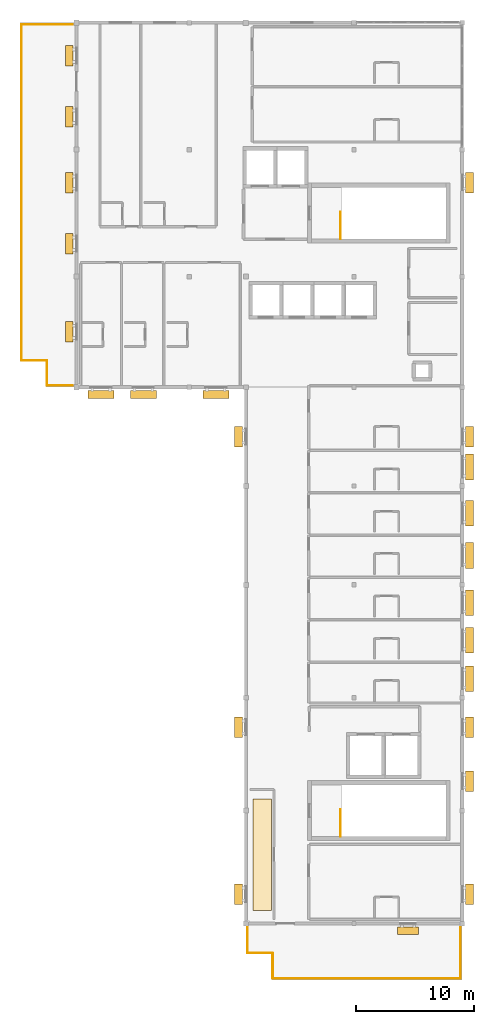
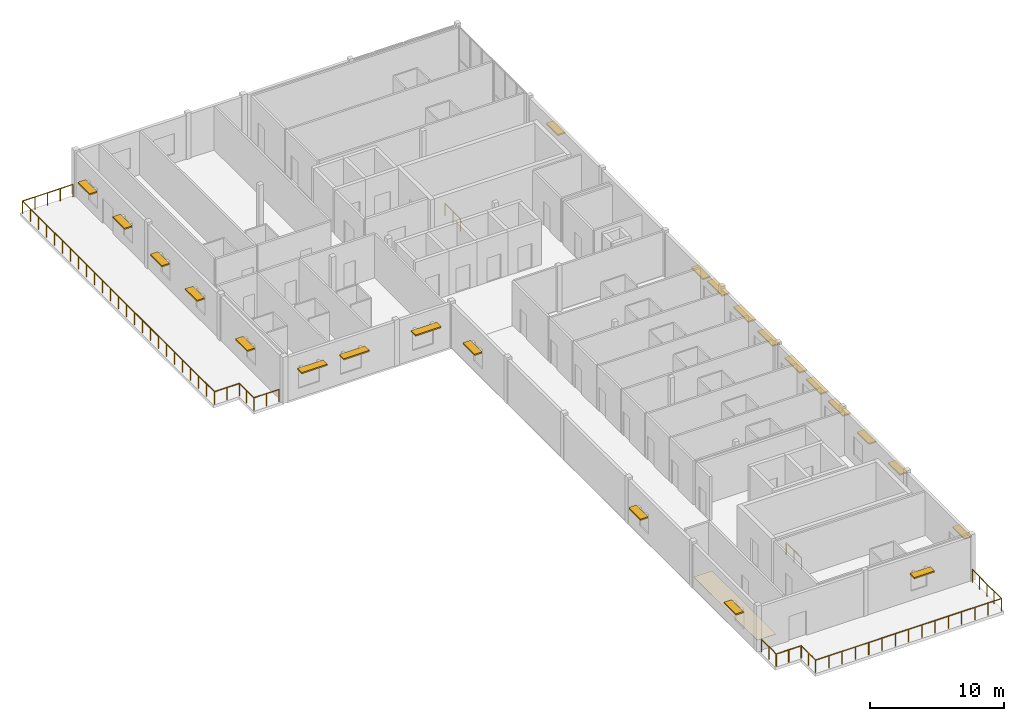
# One storey, part 9 of 9: 23 shading devices, 4 railings, 1 covering.
"""IFC4 building model written with IfcOpenShell, lengths in metres."""

import ifcopenshell
import ifcopenshell.guid

model = None  # the IFC model being written
_history = None  # IfcOwnerHistory: only IFC2X3 demands one
_inside = {}  # id of a spatial element -> (the spatial element, [elements in it])
_under = {}  # id of a project, library or spatial element -> (it, [spatial elements below it])
_declared = {}  # id of a project -> (the project, [libraries it declares])
_typed = {}  # id of a type object -> (the type object, [elements of that type])
_made_of = {}  # id of a material, layer set ... -> (it, [elements and type objects made of it])


def new_model(schema):
    """Start an empty IFC model of exactly this schema.

    Asked for "IFC4X3", IfcOpenShell would pick the latest addendum, in which some entities
    have other attributes; the version numbers below select the first issue.
    IFC2X3 requires an IfcOwnerHistory on every rooted entity: one is made here for all.
    """
    global model, _history
    if schema == "IFC4X3":
        model = ifcopenshell.file(schema_version=(4, 3, 0, 0))
    else:
        model = ifcopenshell.file(schema=schema)
    _inside.clear()
    _under.clear()
    _declared.clear()
    _typed.clear()
    _made_of.clear()
    _history = None
    if model.schema == "IFC2X3":
        org = make("IfcOrganization", Name="unknown")
        user = make(
            "IfcPersonAndOrganization",
            ThePerson=make("IfcPerson", FamilyName="unknown"),
            TheOrganization=org,
        )
        app = make(
            "IfcApplication",
            ApplicationDeveloper=org,
            Version="unknown",
            ApplicationFullName="unknown",
            ApplicationIdentifier="unknown",
        )
        _history = make(
            "IfcOwnerHistory",
            OwningUser=user,
            OwningApplication=app,
            ChangeAction="ADDED",
            CreationDate=0,
        )
    return model


def make(cls, **values):
    """One entity of the class cls with the attributes given. An attribute that is None is left unset."""
    return model.create_entity(
        cls, **{name: value for name, value in values.items() if value is not None}
    )


def rooted(cls, **values):
    """An entity with a GlobalId (a new one), such as an element, a storey or a relation."""
    return make(cls, GlobalId=ifcopenshell.guid.new(), OwnerHistory=_history, **values)


def si_unit(unit_type, name, prefix=None):
    """IfcSIUnit, for example si_unit("LENGTHUNIT", "METRE", prefix="MILLI")."""
    return make("IfcSIUnit", UnitType=unit_type, Prefix=prefix, Name=name)


def assignment(units):
    """IfcUnitAssignment: the units of a project."""
    return None if units is None else make("IfcUnitAssignment", Units=units)


def point(xyz):
    """IfcCartesianPoint."""
    return None if xyz is None else make("IfcCartesianPoint", Coordinates=xyz)


def direction(xyz):
    """IfcDirection."""
    return None if xyz is None else make("IfcDirection", DirectionRatios=xyz)


def frame(location, z_axis=None, x_axis=None):
    """IfcAxis2Placement3D, a coordinate frame: its origin and axes. An axis left out is left unset."""
    return make(
        "IfcAxis2Placement3D",
        Location=point(location),
        Axis=direction(z_axis),
        RefDirection=direction(x_axis),
    )


def frame_2d(location, x_axis=None):
    """IfcAxis2Placement2D, a coordinate frame in the plane: its origin and x axis."""
    return make(
        "IfcAxis2Placement2D", Location=point(location), RefDirection=direction(x_axis)
    )


def origin():
    """The frame at (0, 0, 0) with its axes left unset."""
    return frame((0.0, 0.0, 0.0))


def origin_2d():
    """The frame at (0, 0) in the plane with its x axis left unset."""
    return frame_2d((0.0, 0.0))


def place(relative_to, where):
    """IfcLocalPlacement: puts the frame where relative to a parent placement (None: the world)."""
    return make(
        "IfcLocalPlacement", PlacementRelTo=relative_to, RelativePlacement=where
    )


def context(
    kind, dimensions, precision=None, world=None, true_north=None, identifier=None
):
    """IfcGeometricRepresentationContext, for example the 3D "Model" context."""
    return make(
        "IfcGeometricRepresentationContext",
        ContextIdentifier=identifier,
        ContextType=kind,
        CoordinateSpaceDimension=dimensions,
        Precision=precision,
        WorldCoordinateSystem=world,
        TrueNorth=true_north,
    )


def subcontext(parent, identifier, kind, view, scale=None):
    """IfcGeometricRepresentationSubContext, for example "Body" below "Model"."""
    return make(
        "IfcGeometricRepresentationSubContext",
        ContextIdentifier=identifier,
        ContextType=kind,
        ParentContext=parent,
        TargetScale=scale,
        TargetView=view,
    )


def project(units=None, contexts=None):
    """IfcProject with its units and contexts."""
    return rooted(
        "IfcProject",
        Name="project",
        RepresentationContexts=contexts,
        UnitsInContext=assignment(units),
    )


def spatial(cls, under=None, at=None, **own):
    """A site, building, storey or space (cls), placed at a placement, below another one or the project."""
    s = rooted(cls, ObjectPlacement=at, **own)
    if under is not None:
        _under.setdefault(under.id(), (under, []))[1].append(s)
    return s


def polyline(points):
    """IfcPolyline through the points."""
    return make("IfcPolyline", Points=[point(p) for p in points])


def profile(cls, at=None, kind="AREA", **sizes):
    """A parametric profile (cls). Its sizes go by their IFC names, for example OverallWidth=200.0."""
    return make(cls, ProfileType=kind, Position=at, **sizes)


def rectangle(**sizes):
    """IfcRectangleProfileDef."""
    return profile("IfcRectangleProfileDef", **sizes)


def circle(**sizes):
    """IfcCircleProfileDef."""
    return profile("IfcCircleProfileDef", **sizes)


def outline(outer, holes=None, kind="AREA"):
    """IfcArbitraryClosedProfileDef: a profile drawn as a closed curve; with holes, ...WithVoids."""
    if holes is None:
        return make("IfcArbitraryClosedProfileDef", ProfileType=kind, OuterCurve=outer)
    return make(
        "IfcArbitraryProfileDefWithVoids",
        ProfileType=kind,
        OuterCurve=outer,
        InnerCurves=holes,
    )


def extrude(swept, where, along, depth):
    """IfcExtrudedAreaSolid: the profile swept, set in the frame where, extruded along a direction by depth."""
    return make(
        "IfcExtrudedAreaSolid",
        SweptArea=swept,
        Position=where,
        ExtrudedDirection=direction(along),
        Depth=depth,
    )


def shape(context_of_items, identifier, shape_type, items):
    """IfcShapeRepresentation: the items that make up one representation, for example the "Body"."""
    return make(
        "IfcShapeRepresentation",
        ContextOfItems=context_of_items,
        RepresentationIdentifier=identifier,
        RepresentationType=shape_type,
        Items=items,
    )


def material(Name=None, Category=None):
    """IfcMaterial."""
    return make("IfcMaterial", Name=Name, Category=Category)


def layer(
    of_material, thickness, ventilated=None, Name=None, Category=None, Priority=None
):
    """IfcMaterialLayer: one layer of a wall or slab, of a material (None: an air gap)."""
    return make(
        "IfcMaterialLayer",
        Material=of_material,
        LayerThickness=thickness,
        IsVentilated=ventilated,
        Name=Name,
        Category=Category,
        Priority=Priority,
    )


def layer_set(layers, Name=None):
    """IfcMaterialLayerSet."""
    return make("IfcMaterialLayerSet", MaterialLayers=layers, LayerSetName=Name)


def made_of(thing, what):
    """Note that an element or type object is made of a material, layer set ...; save() writes the relation."""
    if what is not None:
        _made_of.setdefault(what.id(), (what, []))[1].append(thing)
    return thing


def type_object(cls, material=None, **own):
    """A type object (cls), such as IfcWallType, which elements share."""
    return made_of(rooted(cls, **own), material)


def element(
    cls,
    number,
    at=None,
    inside=None,
    cuts=None,
    type_object=None,
    material=None,
    context=None,
    identifier="Body",
    shape_type=None,
    held_by="IfcProductDefinitionShape",
    body=None,
    shapes=None,
    **own,
):
    """One element of the class cls, such as IfcWall. Its Tag is "e" and its number.

    at: its placement. inside: the storey or other place that contains it. cuts: it is an
    opening in that element (IfcRelVoidsElement). A single representation is given by context,
    identifier, shape_type and body (its items); several are given by shapes. held_by: the class
    of the entity that holds the representations. save() writes the other relations.
    """
    e = rooted(cls, Tag="e%d" % number, ObjectPlacement=at, **own)
    if body is not None:
        shapes = [shape(context, identifier, shape_type, body)]
    if shapes is not None:
        e.Representation = make(held_by, Representations=shapes)
    if inside is not None:
        _inside.setdefault(inside.id(), (inside, []))[1].append(e)
    if cuts is not None:
        rooted(
            "IfcRelVoidsElement", RelatingBuildingElement=cuts, RelatedOpeningElement=e
        )
    if type_object is not None:
        _typed.setdefault(type_object.id(), (type_object, []))[1].append(e)
    return made_of(e, material)


def aggregate(whole, parts):
    """IfcRelAggregates: a whole, such as a stair, and the parts it consists of."""
    return rooted("IfcRelAggregates", RelatingObject=whole, RelatedObjects=parts)


def save(model, path):
    """Write the relations noted so far, then the file.

    IfcRelAggregates (storeys below a building ...), IfcRelContainedInSpatialStructure (elements
    in a storey), IfcRelDefinesByType, IfcRelAssociatesMaterial and IfcRelDeclares: one each for
    every whole, place, type object, material and project.
    """
    for whole, parts in _under.values():
        aggregate(whole, parts)
    for where, things in _inside.values():
        rooted(
            "IfcRelContainedInSpatialStructure",
            RelatedElements=things,
            RelatingStructure=where,
        )
    for kind, things in _typed.values():
        rooted("IfcRelDefinesByType", RelatedObjects=things, RelatingType=kind)
    for what, things in _made_of.values():
        rooted("IfcRelAssociatesMaterial", RelatedObjects=things, RelatingMaterial=what)
    for by, libraries in _declared.values():
        rooted("IfcRelDeclares", RelatingContext=by, RelatedDefinitions=libraries)
    model.write(path)


model = new_model("IFC4")

# Units and contexts
model_context = context("Model", 3, precision=1e-05, world=origin(), true_north=direction((0.0, 1.0)))
body_context = subcontext(model_context, "Body", "Model", "MODEL_VIEW")
ifc_project = project(units=[si_unit("LENGTHUNIT", "METRE"), si_unit("AREAUNIT", "SQUARE_METRE"), si_unit("VOLUMEUNIT", "CUBIC_METRE"), si_unit("PLANEANGLEUNIT", "RADIAN"), si_unit("MASSUNIT", "GRAM", prefix="KILO")], contexts=[model_context])

# Site, building, storey
site_placement = place(None, origin())
site = spatial("IfcSite", under=ifc_project, at=site_placement, CompositionType="ELEMENT")
building_placement = place(site_placement, origin())
building = spatial("IfcBuilding", under=site, at=building_placement, Name="Veldera Park Congress Hotel", CompositionType="ELEMENT")
storey_placement = place(building_placement, frame((0.0, 0.0, 46.60009765625)))
storey = spatial("IfcBuildingStorey", under=building, at=storey_placement, Name="L11", CompositionType="ELEMENT", Elevation=46.60009765625)

# Railing
ifc_material_1 = material(Name="Low-E Triple Insulating Glass Unit (SHGC 0.22)", Category="glass")
railing_type_1 = type_object("IfcRailingType", Name="BAL-TER115", PredefinedType="BALUSTRADE", material=ifc_material_1)
railing_1_placement = place(storey_placement, frame((65.739990234375, -18.93994140625, 0.0)))
element("IfcRailing", 1, at=railing_1_placement, inside=storey, type_object=railing_type_1, Name="L11 Terrace Guard 009", PredefinedType="BALUSTRADE", context=body_context, shape_type="SweptSolid", body=[
    extrude(circle(Radius=0.02392578125, at=origin_2d()), frame((0.0, 0.0, 1.1259765625), z_axis=(0.0, -1.0, 0.0), x_axis=(1.0, 0.0, 0.0)), (0.0, 0.0, 1.0), 2.170166015625),
    extrude(circle(Radius=0.02392578125, at=origin_2d()), frame((0.0, -2.170166015625, 1.1259765625), z_axis=(1.0, 0.0, 0.0), x_axis=(0.0, 1.0, 0.0)), (0.0, 0.0, 1.0), 2.14990234375),
    extrude(circle(Radius=0.02392578125, at=origin_2d()), frame((2.14990234375, -2.170166015625, 1.1259765625), z_axis=(0.0, -1.0, 0.0), x_axis=(1.0, 0.0, 0.0)), (0.0, 0.0, 1.0), 2.14990234375),
    extrude(circle(Radius=0.02392578125, at=origin_2d()), frame((2.14990234375, -4.320068359375, 1.1259765625), z_axis=(1.0, 0.0, 0.0), x_axis=(0.0, 1.0, 0.0)), (0.0, 0.0, 1.0), 15.97021484375),
    extrude(circle(Radius=0.02392578125, at=origin_2d()), frame((18.1201171875, -4.320068359375, 1.1259765625), z_axis=(0.0, 1.0, 0.0), x_axis=(-1.0, 0.0, 0.0)), (0.0, 0.0, 1.0), 4.320068359375),
    extrude(circle(Radius=0.02099609375, at=origin_2d()), origin(), (0.0, 0.0, 1.0), 1.101806640625),
    extrude(circle(Radius=0.02099609375, at=origin_2d()), frame((0.0, -1.0849609375, 0.0)), (0.0, 0.0, 1.0), 1.101806640625),
    extrude(circle(Radius=0.02099609375, at=origin_2d()), frame((0.0, -2.170166015625, 0.0)), (0.0, 0.0, 1.0), 1.101806640625),
    extrude(circle(Radius=0.02099609375, at=origin_2d()), frame((1.074951171875, -2.170166015625, 0.0)), (0.0, 0.0, 1.0), 1.101806640625),
    extrude(circle(Radius=0.02099609375, at=origin_2d()), frame((2.14990234375, -2.170166015625, 0.0)), (0.0, 0.0, 1.0), 1.101806640625),
    extrude(circle(Radius=0.02099609375, at=origin_2d()), frame((2.14990234375, -3.2451171875, 0.0)), (0.0, 0.0, 1.0), 1.101806640625),
    extrude(circle(Radius=0.02099609375, at=origin_2d()), frame((2.14990234375, -4.320068359375, 0.0)), (0.0, 0.0, 1.0), 1.101806640625),
    extrude(circle(Radius=0.02099609375, at=origin_2d()), frame((3.29052734375, -4.320068359375, 0.0)), (0.0, 0.0, 1.0), 1.101806640625),
    extrude(circle(Radius=0.02099609375, at=origin_2d()), frame((4.431396484375, -4.320068359375, 0.0)), (0.0, 0.0, 1.0), 1.101806640625),
    extrude(circle(Radius=0.02099609375, at=origin_2d()), frame((5.572021484375, -4.320068359375, 0.0)), (0.0, 0.0, 1.0), 1.101806640625),
    extrude(circle(Radius=0.02099609375, at=origin_2d()), frame((6.712890625, -4.320068359375, 0.0)), (0.0, 0.0, 1.0), 1.101806640625),
    extrude(circle(Radius=0.02099609375, at=origin_2d()), frame((7.853515625, -4.320068359375, 0.0)), (0.0, 0.0, 1.0), 1.101806640625),
    extrude(circle(Radius=0.02099609375, at=origin_2d()), frame((8.994384765625, -4.320068359375, 0.0)), (0.0, 0.0, 1.0), 1.101806640625),
    extrude(circle(Radius=0.02099609375, at=origin_2d()), frame((10.135009765625, -4.320068359375, 0.0)), (0.0, 0.0, 1.0), 1.101806640625),
    extrude(circle(Radius=0.02099609375, at=origin_2d()), frame((11.275634765625, -4.320068359375, 0.0)), (0.0, 0.0, 1.0), 1.101806640625),
    extrude(circle(Radius=0.02099609375, at=origin_2d()), frame((12.41650390625, -4.320068359375, 0.0)), (0.0, 0.0, 1.0), 1.101806640625),
    extrude(circle(Radius=0.02099609375, at=origin_2d()), frame((13.55712890625, -4.320068359375, 0.0)), (0.0, 0.0, 1.0), 1.101806640625),
    extrude(circle(Radius=0.02099609375, at=origin_2d()), frame((14.697998046875, -4.320068359375, 0.0)), (0.0, 0.0, 1.0), 1.101806640625),
    extrude(circle(Radius=0.02099609375, at=origin_2d()), frame((15.838623046875, -4.320068359375, 0.0)), (0.0, 0.0, 1.0), 1.101806640625),
    extrude(circle(Radius=0.02099609375, at=origin_2d()), frame((16.9794921875, -4.320068359375, 0.0)), (0.0, 0.0, 1.0), 1.101806640625),
    extrude(circle(Radius=0.02099609375, at=origin_2d()), frame((18.1201171875, -4.320068359375, 0.0)), (0.0, 0.0, 1.0), 1.101806640625),
    extrude(circle(Radius=0.02099609375, at=origin_2d()), frame((18.1201171875, -3.239990234375, 0.0)), (0.0, 0.0, 1.0), 1.101806640625),
    extrude(circle(Radius=0.02099609375, at=origin_2d()), frame((18.1201171875, -2.16015625, 0.0)), (0.0, 0.0, 1.0), 1.101806640625),
    extrude(circle(Radius=0.02099609375, at=origin_2d()), frame((18.1201171875, -1.080078125, 0.0)), (0.0, 0.0, 1.0), 1.101806640625),
    extrude(circle(Radius=0.02099609375, at=origin_2d()), frame((18.1201171875, 0.0, 0.0)), (0.0, 0.0, 1.0), 1.101806640625),
])

# Covering
ifc_material_2 = material(Name="Engineered White Oak Plank Flooring", Category="wood")
ifc_layer = layer(ifc_material_2, 0.02197265625)
ifc_layer_set = layer_set([ifc_layer], Name="Engineered White Oak Plank Flooring")
covering_type = type_object("IfcCoveringType", Name="COV-FLR-OAK", PredefinedType="FLOORING", material=ifc_layer_set)
covering_placement = place(storey_placement, origin())
element("IfcCovering", 2, at=covering_placement, inside=storey, type_object=covering_type, Name="Crown Observatory Oak Flooring", PredefinedType="FLOORING", context=body_context, shape_type="SweptSolid", body=[
    extrude(outline(polyline([(66.199951171875, -17.5), (67.800048828125, -17.5), (67.800048828125, -8.0), (66.199951171875, -8.0), (66.199951171875, -17.5)])), origin(), (0.0, 0.0, 1.0), 0.02197265625),
])

# Railings
ifc_material_3 = material(Name="Steel ASTM A992 Gr.50", Category="steel")
railing_type_2 = type_object("IfcRailingType", Name="GRD-EXT115", PredefinedType="GUARDRAIL", material=ifc_material_3)
railing_2_placement = place(storey_placement, frame((50.860107421875, 27.139892578125, 0.0)))
element("IfcRailing", 3, at=railing_2_placement, inside=storey, type_object=railing_type_2, Name="L11 Terrace Guard 010", PredefinedType="GUARDRAIL", context=body_context, shape_type="SweptSolid", body=[
    extrude(circle(Radius=0.02392578125, at=origin_2d()), frame((0.0, 0.0, 1.1259765625), z_axis=(-1.0, 0.0, 0.0), x_axis=(0.0, -1.0, 0.0)), (0.0, 0.0, 1.0), 2.170166015625),
    extrude(circle(Radius=0.02392578125, at=origin_2d()), frame((-2.170166015625, 0.0, 1.1259765625), z_axis=(0.0, 1.0, 0.0), x_axis=(-1.0, 0.0, 0.0)), (0.0, 0.0, 1.0), 2.150146484375),
    extrude(circle(Radius=0.02392578125, at=origin_2d()), frame((-2.170166015625, 2.150146484375, 1.1259765625), z_axis=(-1.0, 0.0, 0.0), x_axis=(0.0, -1.0, 0.0)), (0.0, 0.0, 1.0), 2.14990234375),
    extrude(circle(Radius=0.02392578125, at=origin_2d()), frame((-4.320068359375, 2.150146484375, 1.1259765625), z_axis=(0.0, 1.0, 0.0), x_axis=(-1.0, 0.0, 0.0)), (0.0, 0.0, 1.0), 28.570068359375),
    extrude(circle(Radius=0.02392578125, at=origin_2d()), frame((-4.320068359375, 30.72021484375, 1.1259765625), z_axis=(1.0, 0.0, 0.0), x_axis=(0.0, 1.0, 0.0)), (0.0, 0.0, 1.0), 4.320068359375),
    extrude(circle(Radius=0.02099609375, at=origin_2d()), origin(), (0.0, 0.0, 1.0), 1.101806640625),
    extrude(circle(Radius=0.02099609375, at=origin_2d()), frame((-1.0849609375, 0.0, 0.0)), (0.0, 0.0, 1.0), 1.101806640625),
    extrude(circle(Radius=0.02099609375, at=origin_2d()), frame((-2.170166015625, 0.0, 0.0)), (0.0, 0.0, 1.0), 1.101806640625),
    extrude(circle(Radius=0.02099609375, at=origin_2d()), frame((-2.170166015625, 1.0751953125, 0.0)), (0.0, 0.0, 1.0), 1.101806640625),
    extrude(circle(Radius=0.02099609375, at=origin_2d()), frame((-2.170166015625, 2.150146484375, 0.0)), (0.0, 0.0, 1.0), 1.101806640625),
    extrude(circle(Radius=0.02099609375, at=origin_2d()), frame((-3.2451171875, 2.150146484375, 0.0)), (0.0, 0.0, 1.0), 1.101806640625),
    extrude(circle(Radius=0.02099609375, at=origin_2d()), frame((-4.320068359375, 2.150146484375, 0.0)), (0.0, 0.0, 1.0), 1.101806640625),
    extrude(circle(Radius=0.02099609375, at=origin_2d()), frame((-4.320068359375, 3.340576171875, 0.0)), (0.0, 0.0, 1.0), 1.101806640625),
    extrude(circle(Radius=0.02099609375, at=origin_2d()), frame((-4.320068359375, 4.531005859375, 0.0)), (0.0, 0.0, 1.0), 1.101806640625),
    extrude(circle(Radius=0.02099609375, at=origin_2d()), frame((-4.320068359375, 5.721435546875, 0.0)), (0.0, 0.0, 1.0), 1.101806640625),
    extrude(circle(Radius=0.02099609375, at=origin_2d()), frame((-4.320068359375, 6.911865234375, 0.0)), (0.0, 0.0, 1.0), 1.101806640625),
    extrude(circle(Radius=0.02099609375, at=origin_2d()), frame((-4.320068359375, 8.102294921875, 0.0)), (0.0, 0.0, 1.0), 1.101806640625),
    extrude(circle(Radius=0.02099609375, at=origin_2d()), frame((-4.320068359375, 9.292724609375, 0.0)), (0.0, 0.0, 1.0), 1.101806640625),
    extrude(circle(Radius=0.02099609375, at=origin_2d()), frame((-4.320068359375, 10.483154296875, 0.0)), (0.0, 0.0, 1.0), 1.101806640625),
    extrude(circle(Radius=0.02099609375, at=origin_2d()), frame((-4.320068359375, 11.673583984375, 0.0)), (0.0, 0.0, 1.0), 1.101806640625),
    extrude(circle(Radius=0.02099609375, at=origin_2d()), frame((-4.320068359375, 12.864013671875, 0.0)), (0.0, 0.0, 1.0), 1.101806640625),
    extrude(circle(Radius=0.02099609375, at=origin_2d()), frame((-4.320068359375, 14.054443359375, 0.0)), (0.0, 0.0, 1.0), 1.101806640625),
    extrude(circle(Radius=0.02099609375, at=origin_2d()), frame((-4.320068359375, 15.244873046875, 0.0)), (0.0, 0.0, 1.0), 1.101806640625),
    extrude(circle(Radius=0.02099609375, at=origin_2d()), frame((-4.320068359375, 16.43505859375, 0.0)), (0.0, 0.0, 1.0), 1.101806640625),
    extrude(circle(Radius=0.02099609375, at=origin_2d()), frame((-4.320068359375, 17.62548828125, 0.0)), (0.0, 0.0, 1.0), 1.101806640625),
    extrude(circle(Radius=0.02099609375, at=origin_2d()), frame((-4.320068359375, 18.81591796875, 0.0)), (0.0, 0.0, 1.0), 1.101806640625),
    extrude(circle(Radius=0.02099609375, at=origin_2d()), frame((-4.320068359375, 20.00634765625, 0.0)), (0.0, 0.0, 1.0), 1.101806640625),
    extrude(circle(Radius=0.02099609375, at=origin_2d()), frame((-4.320068359375, 21.19677734375, 0.0)), (0.0, 0.0, 1.0), 1.101806640625),
    extrude(circle(Radius=0.02099609375, at=origin_2d()), frame((-4.320068359375, 22.38720703125, 0.0)), (0.0, 0.0, 1.0), 1.101806640625),
    extrude(circle(Radius=0.02099609375, at=origin_2d()), frame((-4.320068359375, 23.57763671875, 0.0)), (0.0, 0.0, 1.0), 1.101806640625),
    extrude(circle(Radius=0.02099609375, at=origin_2d()), frame((-4.320068359375, 24.76806640625, 0.0)), (0.0, 0.0, 1.0), 1.101806640625),
    extrude(circle(Radius=0.02099609375, at=origin_2d()), frame((-4.320068359375, 25.95849609375, 0.0)), (0.0, 0.0, 1.0), 1.101806640625),
    extrude(circle(Radius=0.02099609375, at=origin_2d()), frame((-4.320068359375, 27.14892578125, 0.0)), (0.0, 0.0, 1.0), 1.101806640625),
    extrude(circle(Radius=0.02099609375, at=origin_2d()), frame((-4.320068359375, 28.33935546875, 0.0)), (0.0, 0.0, 1.0), 1.101806640625),
    extrude(circle(Radius=0.02099609375, at=origin_2d()), frame((-4.320068359375, 29.52978515625, 0.0)), (0.0, 0.0, 1.0), 1.101806640625),
    extrude(circle(Radius=0.02099609375, at=origin_2d()), frame((-4.320068359375, 30.72021484375, 0.0)), (0.0, 0.0, 1.0), 1.101806640625),
    extrude(circle(Radius=0.02099609375, at=origin_2d()), frame((-3.239990234375, 30.72021484375, 0.0)), (0.0, 0.0, 1.0), 1.101806640625),
    extrude(circle(Radius=0.02099609375, at=origin_2d()), frame((-2.16015625, 30.72021484375, 0.0)), (0.0, 0.0, 1.0), 1.101806640625),
    extrude(circle(Radius=0.02099609375, at=origin_2d()), frame((-1.080078125, 30.72021484375, 0.0)), (0.0, 0.0, 1.0), 1.101806640625),
    extrude(circle(Radius=0.02099609375, at=origin_2d()), frame((0.0, 30.72021484375, 0.0)), (0.0, 0.0, 1.0), 1.101806640625),
])
railing_type_3 = type_object("IfcRailingType", Name="GRD-ST110", PredefinedType="GUARDRAIL", material=ifc_material_3)
railing_3_placement = place(storey_placement, frame((73.64990234375, 39.60009765625, 0.0)))
element("IfcRailing", 4, at=railing_3_placement, inside=storey, type_object=railing_type_3, Name="L11 ST1 top well guard 1", PredefinedType="GUARDRAIL", context=body_context, shape_type="SweptSolid", body=[
    extrude(circle(Radius=0.02392578125, at=origin_2d()), frame((0.0, 0.0, 1.076171875), z_axis=(0.0, 1.0, 0.0), x_axis=(-1.0, 0.0, 0.0)), (0.0, 0.0, 1.0), 2.2998046875),
    extrude(circle(Radius=0.02099609375, at=origin_2d()), origin(), (0.0, 0.0, 1.0), 1.052001953125),
    extrude(circle(Radius=0.02099609375, at=origin_2d()), frame((0.0, 1.14990234375, 0.0)), (0.0, 0.0, 1.0), 1.052001953125),
    extrude(circle(Radius=0.02099609375, at=origin_2d()), frame((0.0, 2.2998046875, 0.0)), (0.0, 0.0, 1.0), 1.052001953125),
])
railing_4_placement = place(storey_placement, frame((73.64990234375, -11.199951171875, 0.0)))
element("IfcRailing", 5, at=railing_4_placement, inside=storey, type_object=railing_type_3, Name="L11 ST2 top well guard 1", PredefinedType="GUARDRAIL", context=body_context, shape_type="SweptSolid", body=[
    extrude(circle(Radius=0.02392578125, at=origin_2d()), frame((0.0, 0.0, 1.076171875), z_axis=(0.0, 1.0, 0.0), x_axis=(-1.0, 0.0, 0.0)), (0.0, 0.0, 1.0), 2.300048828125),
    extrude(circle(Radius=0.02099609375, at=origin_2d()), origin(), (0.0, 0.0, 1.0), 1.052001953125),
    extrude(circle(Radius=0.02099609375, at=origin_2d()), frame((0.0, 1.14990234375, 0.0)), (0.0, 0.0, 1.0), 1.052001953125),
    extrude(circle(Radius=0.02099609375, at=origin_2d()), frame((0.0, 2.300048828125, 0.0)), (0.0, 0.0, 1.0), 1.052001953125),
])

# Shading devices
ifc_material_4 = material(Name="Glulam GL28h (NDS 24F-V4)", Category="wood")
shading_device_type = type_object("IfcShadingDeviceType", Name="SHD-LVR300", PredefinedType="JALOUSIE", material=ifc_material_4)
for number, where, z_axis, x_axis, name in (
    (6, (79.392578125, -19.217529296875, 2.519775390625), (0.0, 0.0, 1.0), (1.0, 0.0, 0.0), "Glulam Solar Shade 265"),
    (7, (84.617431640625, -16.103515625, 2.519775390625), (0.0, 0.0, 1.0), (0.0, 1.0, 0.0), "Glulam Solar Shade 266"),
    (8, (84.617431640625, -6.50341796875, 2.519775390625), (0.0, 0.0, 1.0), (0.0, 1.0, 0.0), "Glulam Solar Shade 267"),
    (9, (84.617431640625, -1.896484375, 2.519775390625), (0.0, 0.0, 1.0), (0.0, 1.0, 0.0), "Glulam Solar Shade 268"),
    (10, (84.617431640625, 22.800048828125, 2.519775390625), (0.0, 0.0, 1.0), (0.0, 1.0, 0.0), "Glulam Solar Shade 269"),
    (11, (84.617431640625, 44.403564453125, 2.519775390625), (0.0, 0.0, 1.0), (0.0, 1.0, 0.0), "Glulam Solar Shade 270"),
    (12, (50.58251953125, 55.184814453125, 2.519775390625), (0.0, 0.0, 1.0), (0.0, -1.0, 0.0), "Glulam Solar Shade 271"),
    (13, (50.58251953125, 50.000244140625, 2.519775390625), (0.0, 0.0, 1.0), (0.0, -1.0, 0.0), "Glulam Solar Shade 272"),
    (14, (50.58251953125, 44.39599609375, 2.519775390625), (0.0, 0.0, 1.0), (0.0, -1.0, 0.0), "Glulam Solar Shade 273"),
    (15, (50.58251953125, 39.2041015625, 2.519775390625), (0.0, 0.0, 1.0), (0.0, -1.0, 0.0), "Glulam Solar Shade 274"),
    (16, (50.58251953125, 31.70751953125, 2.519775390625), (0.0, 0.0, 1.0), (0.0, -1.0, 0.0), "Glulam Solar Shade 275"),
    (17, (64.982421875, 22.800048828125, 2.519775390625), (0.0, 0.0, 1.0), (0.0, -1.0, 0.0), "Glulam Solar Shade 276"),
    (18, (64.982421875, -1.904052734375, 2.519775390625), (0.0, 0.0, 1.0), (0.0, -1.0, 0.0), "Glulam Solar Shade 277"),
    (19, (64.982421875, -16.095947265625, 2.519775390625), (0.0, 0.0, 1.0), (0.0, -1.0, 0.0), "Glulam Solar Shade 278"),
):
    element("IfcShadingDevice", number, at=place(storey_placement, frame(where, z_axis=z_axis, x_axis=x_axis)), inside=storey, type_object=shading_device_type, Name=name, PredefinedType="JALOUSIE", context=body_context, shape_type="SweptSolid", body=[
        extrude(rectangle(XDim=1.75, YDim=0.64990234375, at=origin_2d()), origin(), (0.0, 0.0, 1.0), 0.1201171875),
    ])
for number, where, z_axis, x_axis, name in (
    (20, (84.617431640625, 2.21142578125, 2.7197265625), (0.0, 0.0, 1.0), (0.0, 1.0, 0.0), "Glulam Solar Shade 500"),
    (21, (84.617431640625, 5.489990234375, 2.7197265625), (0.0, 0.0, 1.0), (0.0, 1.0, 0.0), "Glulam Solar Shade 501"),
    (22, (84.617431640625, 8.678466796875, 2.7197265625), (0.0, 0.0, 1.0), (0.0, 1.0, 0.0), "Glulam Solar Shade 502"),
    (23, (84.617431640625, 12.68994140625, 2.7197265625), (0.0, 0.0, 1.0), (0.0, 1.0, 0.0), "Glulam Solar Shade 503"),
    (24, (84.617431640625, 16.2900390625, 2.7197265625), (0.0, 0.0, 1.0), (0.0, 1.0, 0.0), "Glulam Solar Shade 504"),
    (25, (84.617431640625, 20.21142578125, 2.7197265625), (0.0, 0.0, 1.0), (0.0, 1.0, 0.0), "Glulam Solar Shade 505"),
    (26, (53.2900390625, 26.382568359375, 2.7197265625), (0.0, 0.0, 1.0), (1.0, 0.0, 0.0), "Glulam Solar Shade 506"),
    (27, (56.889892578125, 26.382568359375, 2.7197265625), (0.0, 0.0, 1.0), (1.0, 0.0, 0.0), "Glulam Solar Shade 507"),
    (28, (63.0615234375, 26.382568359375, 2.7197265625), (0.0, 0.0, 1.0), (1.0, 0.0, 0.0), "Glulam Solar Shade 508"),
):
    element("IfcShadingDevice", number, at=place(storey_placement, frame(where, z_axis=z_axis, x_axis=x_axis)), inside=storey, type_object=shading_device_type, Name=name, PredefinedType="JALOUSIE", context=body_context, shape_type="SweptSolid", body=[
        extrude(rectangle(XDim=2.199951171875, YDim=0.64990234375, at=origin_2d()), origin(), (0.0, 0.0, 1.0), 0.1201171875),
    ])

save(model, "model.ifc")
